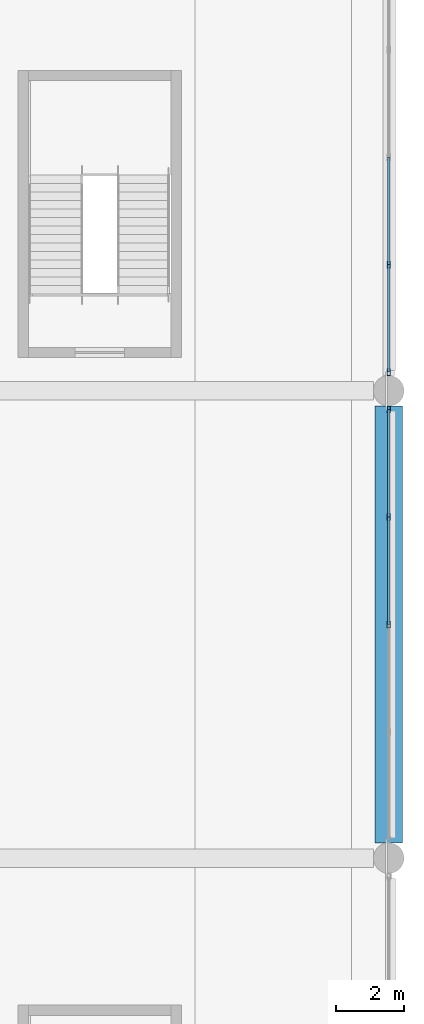
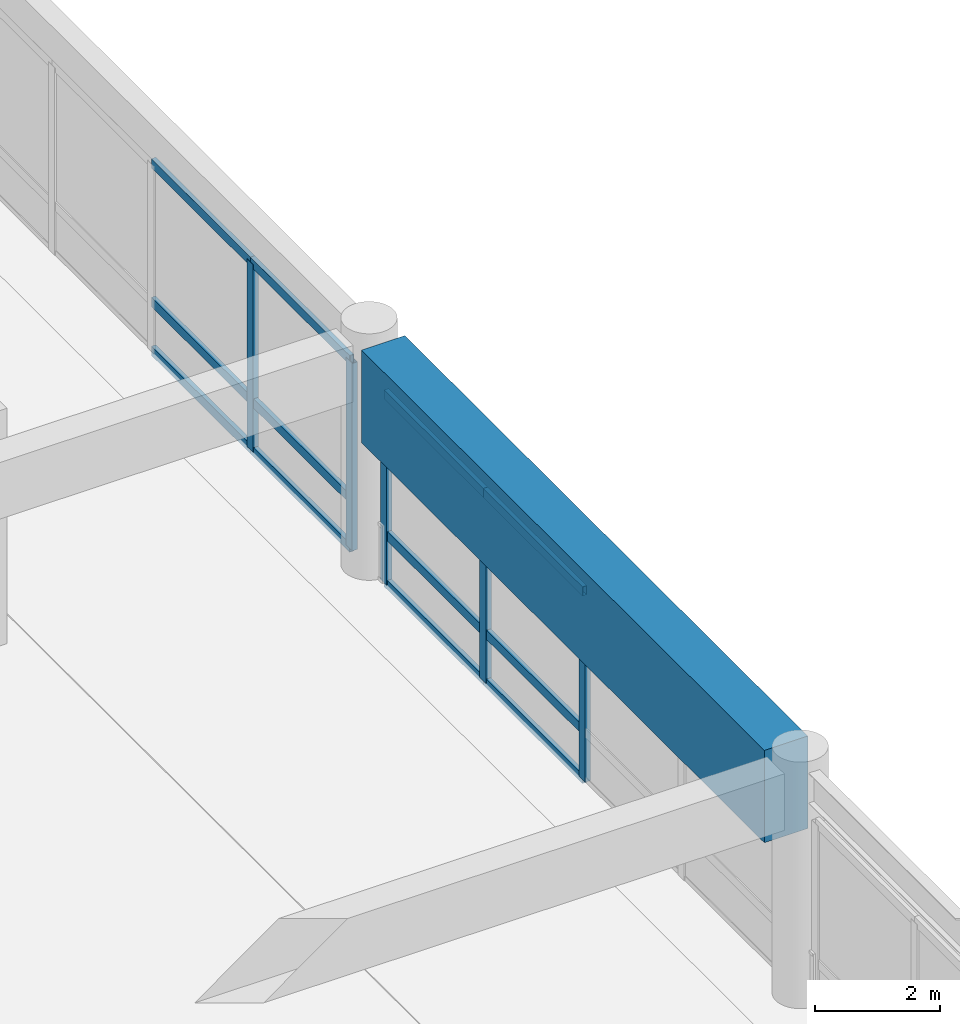
# One storey, part 39 of 91: 17 members, 1 beam, 2 elements without a shape of their own.
"""IFC4 building model written with IfcOpenShell, lengths in metres."""

import ifcopenshell
import ifcopenshell.guid

model = None  # the IFC model being written
_history = None  # IfcOwnerHistory: only IFC2X3 demands one
_inside = {}  # id of a spatial element -> (the spatial element, [elements in it])
_under = {}  # id of a project, library or spatial element -> (it, [spatial elements below it])
_declared = {}  # id of a project -> (the project, [libraries it declares])
_typed = {}  # id of a type object -> (the type object, [elements of that type])
_made_of = {}  # id of a material, layer set ... -> (it, [elements and type objects made of it])


def new_model(schema):
    """Start an empty IFC model of exactly this schema.

    Asked for "IFC4X3", IfcOpenShell would pick the latest addendum, in which some entities
    have other attributes; the version numbers below select the first issue.
    IFC2X3 requires an IfcOwnerHistory on every rooted entity: one is made here for all.
    """
    global model, _history
    if schema == "IFC4X3":
        model = ifcopenshell.file(schema_version=(4, 3, 0, 0))
    else:
        model = ifcopenshell.file(schema=schema)
    _inside.clear()
    _under.clear()
    _declared.clear()
    _typed.clear()
    _made_of.clear()
    _history = None
    if model.schema == "IFC2X3":
        org = make("IfcOrganization", Name="unknown")
        user = make(
            "IfcPersonAndOrganization",
            ThePerson=make("IfcPerson", FamilyName="unknown"),
            TheOrganization=org,
        )
        app = make(
            "IfcApplication",
            ApplicationDeveloper=org,
            Version="unknown",
            ApplicationFullName="unknown",
            ApplicationIdentifier="unknown",
        )
        _history = make(
            "IfcOwnerHistory",
            OwningUser=user,
            OwningApplication=app,
            ChangeAction="ADDED",
            CreationDate=0,
        )
    return model


def make(cls, **values):
    """One entity of the class cls with the attributes given. An attribute that is None is left unset."""
    return model.create_entity(
        cls, **{name: value for name, value in values.items() if value is not None}
    )


def rooted(cls, **values):
    """An entity with a GlobalId (a new one), such as an element, a storey or a relation."""
    return make(cls, GlobalId=ifcopenshell.guid.new(), OwnerHistory=_history, **values)


def si_unit(unit_type, name, prefix=None):
    """IfcSIUnit, for example si_unit("LENGTHUNIT", "METRE", prefix="MILLI")."""
    return make("IfcSIUnit", UnitType=unit_type, Prefix=prefix, Name=name)


def assignment(units):
    """IfcUnitAssignment: the units of a project."""
    return None if units is None else make("IfcUnitAssignment", Units=units)


def point(xyz):
    """IfcCartesianPoint."""
    return None if xyz is None else make("IfcCartesianPoint", Coordinates=xyz)


def direction(xyz):
    """IfcDirection."""
    return None if xyz is None else make("IfcDirection", DirectionRatios=xyz)


def frame(location, z_axis=None, x_axis=None):
    """IfcAxis2Placement3D, a coordinate frame: its origin and axes. An axis left out is left unset."""
    return make(
        "IfcAxis2Placement3D",
        Location=point(location),
        Axis=direction(z_axis),
        RefDirection=direction(x_axis),
    )


def frame_2d(location, x_axis=None):
    """IfcAxis2Placement2D, a coordinate frame in the plane: its origin and x axis."""
    return make(
        "IfcAxis2Placement2D", Location=point(location), RefDirection=direction(x_axis)
    )


def origin():
    """The frame at (0, 0, 0) with its axes left unset."""
    return frame((0.0, 0.0, 0.0))


def origin_2d():
    """The frame at (0, 0) in the plane with its x axis left unset."""
    return frame_2d((0.0, 0.0))


def place(relative_to, where):
    """IfcLocalPlacement: puts the frame where relative to a parent placement (None: the world)."""
    return make(
        "IfcLocalPlacement", PlacementRelTo=relative_to, RelativePlacement=where
    )


def context(
    kind, dimensions, precision=None, world=None, true_north=None, identifier=None
):
    """IfcGeometricRepresentationContext, for example the 3D "Model" context."""
    return make(
        "IfcGeometricRepresentationContext",
        ContextIdentifier=identifier,
        ContextType=kind,
        CoordinateSpaceDimension=dimensions,
        Precision=precision,
        WorldCoordinateSystem=world,
        TrueNorth=true_north,
    )


def subcontext(parent, identifier, kind, view, scale=None):
    """IfcGeometricRepresentationSubContext, for example "Body" below "Model"."""
    return make(
        "IfcGeometricRepresentationSubContext",
        ContextIdentifier=identifier,
        ContextType=kind,
        ParentContext=parent,
        TargetScale=scale,
        TargetView=view,
    )


def project(units=None, contexts=None):
    """IfcProject with its units and contexts."""
    return rooted(
        "IfcProject",
        Name="project",
        RepresentationContexts=contexts,
        UnitsInContext=assignment(units),
    )


def spatial(cls, under=None, at=None, **own):
    """A site, building, storey or space (cls), placed at a placement, below another one or the project."""
    s = rooted(cls, ObjectPlacement=at, **own)
    if under is not None:
        _under.setdefault(under.id(), (under, []))[1].append(s)
    return s


def profile(cls, at=None, kind="AREA", **sizes):
    """A parametric profile (cls). Its sizes go by their IFC names, for example OverallWidth=200.0."""
    return make(cls, ProfileType=kind, Position=at, **sizes)


def rectangle(**sizes):
    """IfcRectangleProfileDef."""
    return profile("IfcRectangleProfileDef", **sizes)


def hollow_rectangle(**sizes):
    """IfcRectangleHollowProfileDef."""
    return profile("IfcRectangleHollowProfileDef", **sizes)


def extrude(swept, where, along, depth):
    """IfcExtrudedAreaSolid: the profile swept, set in the frame where, extruded along a direction by depth."""
    return make(
        "IfcExtrudedAreaSolid",
        SweptArea=swept,
        Position=where,
        ExtrudedDirection=direction(along),
        Depth=depth,
    )


def shape(context_of_items, identifier, shape_type, items):
    """IfcShapeRepresentation: the items that make up one representation, for example the "Body"."""
    return make(
        "IfcShapeRepresentation",
        ContextOfItems=context_of_items,
        RepresentationIdentifier=identifier,
        RepresentationType=shape_type,
        Items=items,
    )


def material(Name=None, Category=None):
    """IfcMaterial."""
    return make("IfcMaterial", Name=Name, Category=Category)


def material_profile(
    of_material, cross_section, Name=None, Category=None, Priority=None
):
    """IfcMaterialProfile: a cross section and its material."""
    return make(
        "IfcMaterialProfile",
        Name=Name,
        Material=of_material,
        Profile=cross_section,
        Priority=Priority,
        Category=Category,
    )


def profile_set(profiles, Name=None, composite=None):
    """IfcMaterialProfileSet."""
    return make(
        "IfcMaterialProfileSet",
        Name=Name,
        MaterialProfiles=profiles,
        CompositeProfile=composite,
    )


def made_of(thing, what):
    """Note that an element or type object is made of a material, layer set ...; save() writes the relation."""
    if what is not None:
        _made_of.setdefault(what.id(), (what, []))[1].append(thing)
    return thing


def type_object(cls, material=None, **own):
    """A type object (cls), such as IfcWallType, which elements share."""
    return made_of(rooted(cls, **own), material)


def element(
    cls,
    number,
    at=None,
    inside=None,
    cuts=None,
    type_object=None,
    material=None,
    context=None,
    identifier="Body",
    shape_type=None,
    held_by="IfcProductDefinitionShape",
    body=None,
    shapes=None,
    **own,
):
    """One element of the class cls, such as IfcWall. Its Tag is "e" and its number.

    at: its placement. inside: the storey or other place that contains it. cuts: it is an
    opening in that element (IfcRelVoidsElement). A single representation is given by context,
    identifier, shape_type and body (its items); several are given by shapes. held_by: the class
    of the entity that holds the representations. save() writes the other relations.
    """
    e = rooted(cls, Tag="e%d" % number, ObjectPlacement=at, **own)
    if body is not None:
        shapes = [shape(context, identifier, shape_type, body)]
    if shapes is not None:
        e.Representation = make(held_by, Representations=shapes)
    if inside is not None:
        _inside.setdefault(inside.id(), (inside, []))[1].append(e)
    if cuts is not None:
        rooted(
            "IfcRelVoidsElement", RelatingBuildingElement=cuts, RelatedOpeningElement=e
        )
    if type_object is not None:
        _typed.setdefault(type_object.id(), (type_object, []))[1].append(e)
    return made_of(e, material)


def aggregate(whole, parts):
    """IfcRelAggregates: a whole, such as a stair, and the parts it consists of."""
    return rooted("IfcRelAggregates", RelatingObject=whole, RelatedObjects=parts)


def save(model, path):
    """Write the relations noted so far, then the file.

    IfcRelAggregates (storeys below a building ...), IfcRelContainedInSpatialStructure (elements
    in a storey), IfcRelDefinesByType, IfcRelAssociatesMaterial and IfcRelDeclares: one each for
    every whole, place, type object, material and project.
    """
    for whole, parts in _under.values():
        aggregate(whole, parts)
    for where, things in _inside.values():
        rooted(
            "IfcRelContainedInSpatialStructure",
            RelatedElements=things,
            RelatingStructure=where,
        )
    for kind, things in _typed.values():
        rooted("IfcRelDefinesByType", RelatedObjects=things, RelatingType=kind)
    for what, things in _made_of.values():
        rooted("IfcRelAssociatesMaterial", RelatedObjects=things, RelatingMaterial=what)
    for by, libraries in _declared.values():
        rooted("IfcRelDeclares", RelatingContext=by, RelatedDefinitions=libraries)
    model.write(path)


model = new_model("IFC4")

# Units and contexts
model_context = context("Model", 3, precision=1e-05, world=origin(), true_north=direction((0.0, 1.0)))
body_context = subcontext(model_context, "Body", "Model", "MODEL_VIEW")
ifc_project = project(units=[si_unit("LENGTHUNIT", "METRE"), si_unit("AREAUNIT", "SQUARE_METRE"), si_unit("VOLUMEUNIT", "CUBIC_METRE"), si_unit("PLANEANGLEUNIT", "RADIAN"), si_unit("MASSUNIT", "GRAM", prefix="KILO")], contexts=[model_context])

# Site, building, storey
site_placement = place(None, origin())
site = spatial("IfcSite", under=ifc_project, at=site_placement, CompositionType="ELEMENT")
building_placement = place(site_placement, origin())
building = spatial("IfcBuilding", under=site, at=building_placement, Name="Linyun Crest Stadium", CompositionType="ELEMENT")
storey_placement = place(building_placement, frame((0.0, 0.0, 11.39990234375)))
storey = spatial("IfcBuildingStorey", under=building, at=storey_placement, Name="L03", CompositionType="ELEMENT", Elevation=11.39990234375)

# Beam
ifc_material_1 = material(Name="Concrete C50", Category="concrete")
ifc_material_profile_1 = material_profile(ifc_material_1, rectangle(XDim=0.800048828125, YDim=1.800048828125, at=origin_2d()), Name="RCB 1800x800")
ifc_profile_set_1 = profile_set([ifc_material_profile_1], Name="Concrete C50")
beam_type = type_object("IfcBeamType", Name="B14", PredefinedType="BEAM", material=ifc_profile_set_1)
beam_placement = place(storey_placement, frame((98.0, 2.574951171875, 3.68017578125), z_axis=(0.0, 1.0, 0.0), x_axis=(-1.0, 0.0, 0.0)))
element("IfcBeam", 1, at=beam_placement, inside=storey, type_object=beam_type, Name="Frame beam B14 L03 675", PredefinedType="BEAM", context=body_context, shape_type="SweptSolid", body=[
    extrude(rectangle(XDim=0.800048828125, YDim=1.800048828125, at=origin_2d()), origin(), (0.0, 0.0, 1.0), 12.85009765625),
])

# Curtain wall, members
ifc_material_2 = material(Name="Verdigris steel and low-E curtain wall assembly", Category="steel")
curtain_wall_type = type_object("IfcCurtainWallType", Name="MCW02", PredefinedType="NOTDEFINED", material=ifc_material_2)
curtain_wall_1_placement = place(storey_placement, origin())
curtain_wall_1 = element("IfcCurtainWall", 2, at=curtain_wall_1_placement, inside=storey, type_object=curtain_wall_type, Name="CWR-106", PredefinedType="NOTDEFINED")
ifc_material_3 = material(Name="Verdigris painted steel Q355C mullion", Category="steel")
ifc_material_profile_2 = material_profile(ifc_material_3, hollow_rectangle(XDim=0.10009765625, YDim=0.199951171875, WallThickness=0.008056640625, at=origin_2d()), Name="RHS 200x100x8")
ifc_profile_set_2 = profile_set([ifc_material_profile_2], Name="Verdigris painted steel Q355C mullion")
member_type_1 = type_object("IfcMemberType", Name="ML03", PredefinedType="MULLION", material=ifc_profile_set_2)
member_1_placement = place(storey_placement, frame((98.0, 9.0, 0.0), z_axis=(0.0, 0.0, 1.0), x_axis=(-1.0, 0.0, 0.0)))
member_1 = element("IfcMember", 3, at=member_1_placement, type_object=member_type_1, Name="CWR-106 mullion 3", PredefinedType="MULLION", context=body_context, shape_type="SweptSolid", body=[
    extrude(hollow_rectangle(XDim=0.10009765625, YDim=0.199951171875, WallThickness=0.008056640625, at=origin_2d()), origin(), (0.0, 0.0, 1.0), 3.650146484375),
])
member_2_placement = place(storey_placement, frame((98.0, 12.162109375, 0.0), z_axis=(0.0, 0.0, 1.0), x_axis=(-1.0, 0.0, 0.0)))
member_2 = element("IfcMember", 4, at=member_2_placement, type_object=member_type_1, Name="CWR-106 mullion 4", PredefinedType="MULLION", context=body_context, shape_type="SweptSolid", body=[
    extrude(hollow_rectangle(XDim=0.10009765625, YDim=0.199951171875, WallThickness=0.008056640625, at=origin_2d()), origin(), (0.0, 0.0, 1.0), 3.650146484375),
])
member_3_placement = place(storey_placement, frame((98.0, 15.324951171875, 0.0), z_axis=(0.0, 0.0, 1.0), x_axis=(-1.0, 0.0, 0.0)))
member_3 = element("IfcMember", 5, at=member_3_placement, type_object=member_type_1, Name="CWR-106 mullion 5", PredefinedType="MULLION", context=body_context, shape_type="SweptSolid", body=[
    extrude(hollow_rectangle(XDim=0.10009765625, YDim=0.199951171875, WallThickness=0.008056640625, at=origin_2d()), origin(), (0.0, 0.0, 1.0), 3.650146484375),
])

curtain_wall_2_placement = place(storey_placement, origin())
curtain_wall_2 = element("IfcCurtainWall", 6, at=curtain_wall_2_placement, inside=storey, type_object=curtain_wall_type, Name="CWR-115", PredefinedType="NOTDEFINED")
member_4_placement = place(storey_placement, frame((98.0, 16.425048828125, 0.0), z_axis=(0.0, 0.0, 1.0), x_axis=(-1.0, 0.0, 0.0)))
member_4 = element("IfcMember", 7, at=member_4_placement, type_object=member_type_1, Name="CWR-115 mullion 1", PredefinedType="MULLION", context=body_context, shape_type="SweptSolid", body=[
    extrude(hollow_rectangle(XDim=0.10009765625, YDim=0.199951171875, WallThickness=0.008056640625, at=origin_2d()), origin(), (0.0, 0.0, 1.0), 3.650146484375),
])
member_5_placement = place(storey_placement, frame((98.0, 19.587890625, 0.0), z_axis=(0.0, 0.0, 1.0), x_axis=(-1.0, 0.0, 0.0)))
member_5 = element("IfcMember", 8, at=member_5_placement, type_object=member_type_1, Name="CWR-115 mullion 2", PredefinedType="MULLION", context=body_context, shape_type="SweptSolid", body=[
    extrude(hollow_rectangle(XDim=0.10009765625, YDim=0.199951171875, WallThickness=0.008056640625, at=origin_2d()), origin(), (0.0, 0.0, 1.0), 3.650146484375),
])

# Member
ifc_material_4 = material(Name="Verdigris painted steel Q355B transom", Category="steel")
ifc_material_profile_3 = material_profile(ifc_material_4, hollow_rectangle(XDim=0.080078125, YDim=0.179931640625, WallThickness=0.006103515625, at=origin_2d()), Name="RHS 180x80x6")
ifc_profile_set_3 = profile_set([ifc_material_profile_3], Name="Verdigris painted steel Q355B transom")
member_type_2 = type_object("IfcMemberType", Name="TR02", PredefinedType="USERDEFINED", material=ifc_profile_set_3)
member_6_placement = place(storey_placement, frame((98.0, 9.0, 0.0), z_axis=(0.0, 1.0, 0.0), x_axis=(-1.0, 0.0, 0.0)))
member_6 = element("IfcMember", 9, at=member_6_placement, type_object=member_type_2, Name="CWR-106 transom 3.1", ObjectType="TRANSOM", PredefinedType="USERDEFINED", context=body_context, shape_type="SweptSolid", body=[
    extrude(hollow_rectangle(XDim=0.080078125, YDim=0.179931640625, WallThickness=0.006103515625, at=origin_2d()), origin(), (0.0, 0.0, 1.0), 3.162109375),
])

member_7_placement = place(storey_placement, frame((98.0, 9.0, 0.9501953125), z_axis=(0.0, 1.0, 0.0), x_axis=(-1.0, 0.0, 0.0)))
member_7 = element("IfcMember", 10, at=member_7_placement, type_object=member_type_2, Name="CWR-106 transom 3.2", ObjectType="TRANSOM", PredefinedType="USERDEFINED", context=body_context, shape_type="SweptSolid", body=[
    extrude(hollow_rectangle(XDim=0.080078125, YDim=0.179931640625, WallThickness=0.006103515625, at=origin_2d()), origin(), (0.0, 0.0, 1.0), 3.162109375),
])

member_8_placement = place(storey_placement, frame((98.0, 9.0, 3.650146484375), z_axis=(0.0, 1.0, 0.0), x_axis=(-1.0, 0.0, 0.0)))
member_8 = element("IfcMember", 11, at=member_8_placement, type_object=member_type_2, Name="CWR-106 transom 3.3", ObjectType="TRANSOM", PredefinedType="USERDEFINED", context=body_context, shape_type="SweptSolid", body=[
    extrude(hollow_rectangle(XDim=0.080078125, YDim=0.179931640625, WallThickness=0.006103515625, at=origin_2d()), origin(), (0.0, 0.0, 1.0), 3.162109375),
])

member_9_placement = place(storey_placement, frame((98.0, 12.162109375, 0.0), z_axis=(0.0, 1.0, 0.0), x_axis=(-1.0, 0.0, 0.0)))
member_9 = element("IfcMember", 12, at=member_9_placement, type_object=member_type_2, Name="CWR-106 transom 4.1", ObjectType="TRANSOM", PredefinedType="USERDEFINED", context=body_context, shape_type="SweptSolid", body=[
    extrude(hollow_rectangle(XDim=0.080078125, YDim=0.179931640625, WallThickness=0.006103515625, at=origin_2d()), origin(), (0.0, 0.0, 1.0), 3.162841796875),
])

member_10_placement = place(storey_placement, frame((98.0, 12.162109375, 0.9501953125), z_axis=(0.0, 1.0, 0.0), x_axis=(-1.0, 0.0, 0.0)))
member_10 = element("IfcMember", 13, at=member_10_placement, type_object=member_type_2, Name="CWR-106 transom 4.2", ObjectType="TRANSOM", PredefinedType="USERDEFINED", context=body_context, shape_type="SweptSolid", body=[
    extrude(hollow_rectangle(XDim=0.080078125, YDim=0.179931640625, WallThickness=0.006103515625, at=origin_2d()), origin(), (0.0, 0.0, 1.0), 3.162841796875),
])

member_11_placement = place(storey_placement, frame((98.0, 12.162109375, 3.650146484375), z_axis=(0.0, 1.0, 0.0), x_axis=(-1.0, 0.0, 0.0)))
member_11 = element("IfcMember", 14, at=member_11_placement, type_object=member_type_2, Name="CWR-106 transom 4.3", ObjectType="TRANSOM", PredefinedType="USERDEFINED", context=body_context, shape_type="SweptSolid", body=[
    extrude(hollow_rectangle(XDim=0.080078125, YDim=0.179931640625, WallThickness=0.006103515625, at=origin_2d()), origin(), (0.0, 0.0, 1.0), 3.162841796875),
])

aggregate(curtain_wall_1, [member_1, member_2, member_3, member_6, member_7, member_8, member_9, member_10, member_11])

member_12_placement = place(storey_placement, frame((98.0, 16.425048828125, 0.0), z_axis=(0.0, 1.0, 0.0), x_axis=(-1.0, 0.0, 0.0)))
member_12 = element("IfcMember", 15, at=member_12_placement, type_object=member_type_2, Name="CWR-115 transom 1.1", ObjectType="TRANSOM", PredefinedType="USERDEFINED", context=body_context, shape_type="SweptSolid", body=[
    extrude(hollow_rectangle(XDim=0.080078125, YDim=0.179931640625, WallThickness=0.006103515625, at=origin_2d()), origin(), (0.0, 0.0, 1.0), 3.162841796875),
])

member_13_placement = place(storey_placement, frame((98.0, 16.425048828125, 0.9501953125), z_axis=(0.0, 1.0, 0.0), x_axis=(-1.0, 0.0, 0.0)))
member_13 = element("IfcMember", 16, at=member_13_placement, type_object=member_type_2, Name="CWR-115 transom 1.2", ObjectType="TRANSOM", PredefinedType="USERDEFINED", context=body_context, shape_type="SweptSolid", body=[
    extrude(hollow_rectangle(XDim=0.080078125, YDim=0.179931640625, WallThickness=0.006103515625, at=origin_2d()), origin(), (0.0, 0.0, 1.0), 3.162841796875),
])

member_14_placement = place(storey_placement, frame((98.0, 16.425048828125, 3.650146484375), z_axis=(0.0, 1.0, 0.0), x_axis=(-1.0, 0.0, 0.0)))
member_14 = element("IfcMember", 17, at=member_14_placement, type_object=member_type_2, Name="CWR-115 transom 1.3", ObjectType="TRANSOM", PredefinedType="USERDEFINED", context=body_context, shape_type="SweptSolid", body=[
    extrude(hollow_rectangle(XDim=0.080078125, YDim=0.179931640625, WallThickness=0.006103515625, at=origin_2d()), origin(), (0.0, 0.0, 1.0), 3.162841796875),
])

member_15_placement = place(storey_placement, frame((98.0, 19.587890625, 0.0), z_axis=(0.0, 1.0, 0.0), x_axis=(-1.0, 0.0, 0.0)))
member_15 = element("IfcMember", 18, at=member_15_placement, type_object=member_type_2, Name="CWR-115 transom 2.1", ObjectType="TRANSOM", PredefinedType="USERDEFINED", context=body_context, shape_type="SweptSolid", body=[
    extrude(hollow_rectangle(XDim=0.080078125, YDim=0.179931640625, WallThickness=0.006103515625, at=origin_2d()), origin(), (0.0, 0.0, 1.0), 3.162109375),
])

member_16_placement = place(storey_placement, frame((98.0, 19.587890625, 0.9501953125), z_axis=(0.0, 1.0, 0.0), x_axis=(-1.0, 0.0, 0.0)))
member_16 = element("IfcMember", 19, at=member_16_placement, type_object=member_type_2, Name="CWR-115 transom 2.2", ObjectType="TRANSOM", PredefinedType="USERDEFINED", context=body_context, shape_type="SweptSolid", body=[
    extrude(hollow_rectangle(XDim=0.080078125, YDim=0.179931640625, WallThickness=0.006103515625, at=origin_2d()), origin(), (0.0, 0.0, 1.0), 3.162109375),
])

member_17_placement = place(storey_placement, frame((98.0, 19.587890625, 3.650146484375), z_axis=(0.0, 1.0, 0.0), x_axis=(-1.0, 0.0, 0.0)))
member_17 = element("IfcMember", 20, at=member_17_placement, type_object=member_type_2, Name="CWR-115 transom 2.3", ObjectType="TRANSOM", PredefinedType="USERDEFINED", context=body_context, shape_type="SweptSolid", body=[
    extrude(hollow_rectangle(XDim=0.080078125, YDim=0.179931640625, WallThickness=0.006103515625, at=origin_2d()), origin(), (0.0, 0.0, 1.0), 3.162109375),
])

aggregate(curtain_wall_2, [member_4, member_5, member_12, member_13, member_14, member_15, member_16, member_17])

save(model, "model.ifc")
